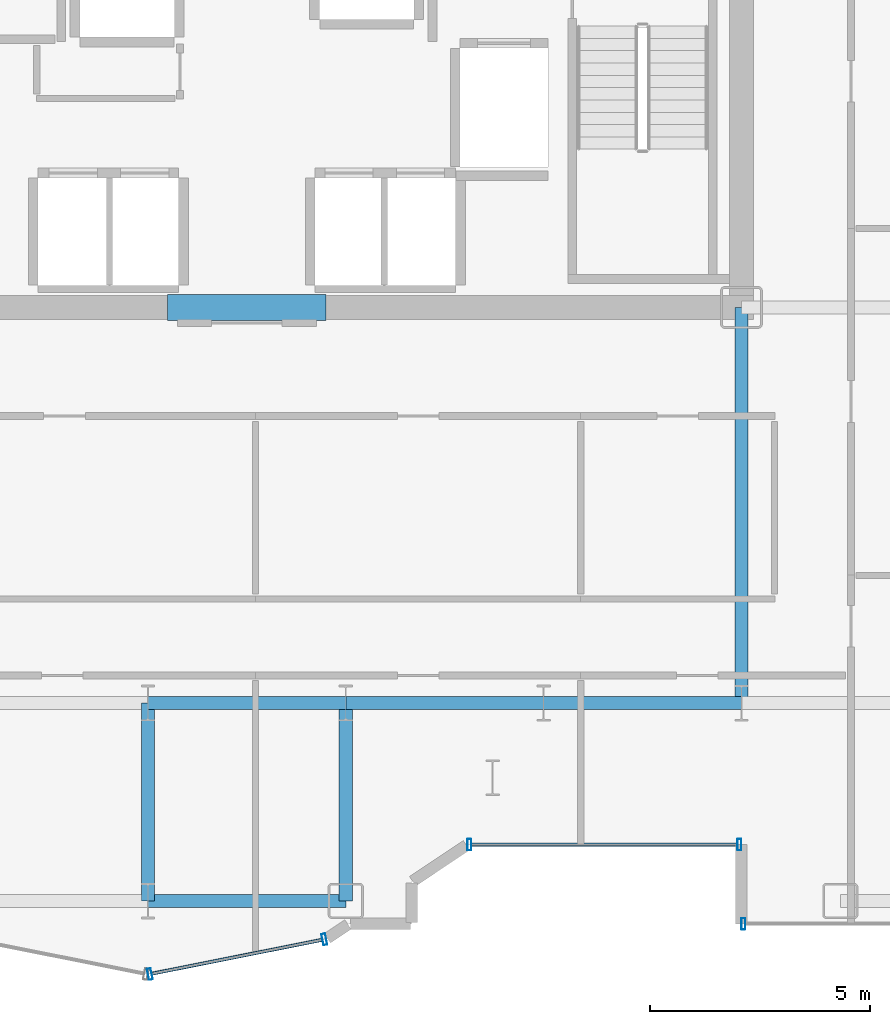
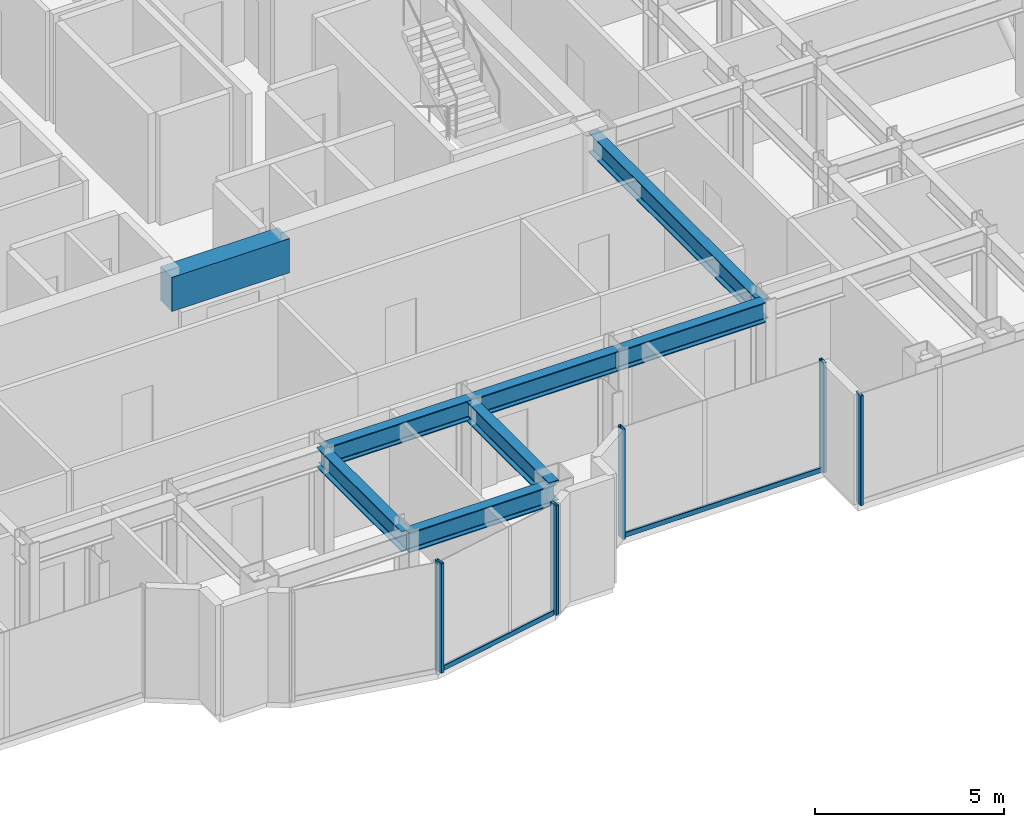
# One storey, part 9 of 26: 8 beams, 7 members, 3 elements without a shape of their own.
"""IFC4 building model written with IfcOpenShell, lengths in metres."""

from ifc_helpers import new_model, si_unit, direction, frame, origin, origin_2d, place, context, subcontext, project, spatial, rectangle, hollow_rectangle, i_section, extrude, source, transform, mapped, material, layer, layer_set, material_profile, profile_set, type_object, element, aggregate, save


model = new_model("IFC4")

# Units and contexts
model_context = context("Model", 3, precision=1e-05, world=origin(), true_north=direction((0.0, 1.0)))
body_context = subcontext(model_context, "Body", "Model", "MODEL_VIEW")
ifc_project = project(units=[si_unit("LENGTHUNIT", "METRE"), si_unit("AREAUNIT", "SQUARE_METRE"), si_unit("VOLUMEUNIT", "CUBIC_METRE"), si_unit("PLANEANGLEUNIT", "RADIAN"), si_unit("MASSUNIT", "GRAM", prefix="KILO")], contexts=[model_context])

# Site, building, storey
site_placement = place(None, origin())
site = spatial("IfcSite", under=ifc_project, at=site_placement, CompositionType="ELEMENT")
building_placement = place(site_placement, origin())
building = spatial("IfcBuilding", under=site, at=building_placement, Name="Nefas-Gora Pilgrimage Tower", CompositionType="ELEMENT")
storey_placement = place(building_placement, frame((0.0, 0.0, 160.199951171875)))
storey = spatial("IfcBuildingStorey", under=building, at=storey_placement, Name="L39", CompositionType="ELEMENT", Elevation=160.199951171875)

# Beams
ifc_material_1 = material(Name="Concrete C60/75", Category="concrete")
ifc_material_profile_1 = material_profile(ifc_material_1, rectangle(XDim=0.60009765625, YDim=1.10009765625, at=origin_2d()), Name="RC 600x1100")
ifc_profile_set_1 = profile_set([ifc_material_profile_1], Name="Concrete C60/75")
beam_type_1 = type_object("IfcBeamType", Name="BM-LIN-RC1100", PredefinedType="LINTEL", material=ifc_profile_set_1)
shared_shape_1 = source(origin(), body_context, "Body", "SweptSolid", [
    extrude(rectangle(XDim=0.60009765625, YDim=1.10009765625, at=origin_2d()), origin(), (0.0, 0.0, 1.0), 3.60009765625),
])
beam_1_placement = place(storey_placement, frame((-1.800048828125, -9.0, 3.0), z_axis=(1.0, 0.0, 0.0), x_axis=(0.0, 1.0, 0.0)))
element("IfcBeam", 1, at=beam_1_placement, inside=storey, type_object=beam_type_1, Name="L39 Core Coupling Lintel Beam S", PredefinedType="LINTEL", context=body_context, shape_type="MappedRepresentation", body=[
    mapped(shared_shape_1, transform((0.0, 0.0, 0.0), x_axis=(1.0, 0.0, 0.0), y_axis=(0.0, 1.0, 0.0), z_axis=(0.0, 0.0, 1.0), scale=1.0)),
])
ifc_material_2 = material(Name="Steel S355", Category="steel")
ifc_material_profile_2 = material_profile(ifc_material_2, i_section(OverallWidth=0.300048828125, OverallDepth=0.64990234375, WebThickness=0.01611328125, FlangeThickness=0.031005859375, FilletRadius=0.027099609375, at=origin_2d()), Name="HEB 650")
ifc_profile_set_2 = profile_set([ifc_material_profile_2], Name="Steel S355")
beam_type_2 = type_object("IfcBeamType", Name="BM-GIR-HEB650", PredefinedType="BEAM", material=ifc_profile_set_2)
shared_shape_2 = source(origin(), body_context, "Body", "SweptSolid", [
    extrude(i_section(OverallWidth=0.300048828125, OverallDepth=0.64990234375, WebThickness=0.01611328125, FlangeThickness=0.031005859375, FilletRadius=0.027099609375, at=origin_2d()), origin(), (0.0, 0.0, 1.0), 9.0),
])
beam_2_placement = place(storey_placement, frame((11.25, -18.0, 3.22509765625), z_axis=(0.0, 1.0, 0.0), x_axis=(-1.0, 0.0, 0.0)))
element("IfcBeam", 2, at=beam_2_placement, inside=storey, type_object=beam_type_2, Name="L39 G-03 beam", PredefinedType="BEAM", context=body_context, shape_type="MappedRepresentation", body=[
    mapped(shared_shape_2, transform((0.0, 0.0, 0.0), x_axis=(1.0, 0.0, 0.0), y_axis=(0.0, 1.0, 0.0), z_axis=(0.0, 0.0, 1.0), scale=1.0)),
])
shared_shape_3 = source(origin(), body_context, "Body", "SweptSolid", [
    extrude(i_section(OverallWidth=0.300048828125, OverallDepth=0.64990234375, WebThickness=0.01611328125, FlangeThickness=0.031005859375, FilletRadius=0.027099609375, at=origin_2d()), origin(), (0.0, 0.0, 1.0), 4.5),
])
for number, where, z_axis, x_axis, name in (
    (3, (-2.25, -22.5, 3.22509765625), (0.0, 1.0, 0.0), (-1.0, 0.0, 0.0), "L39 G-03 beam"),
    (4, (-2.25, -22.5, 3.22509765625), (1.0, 0.0, 0.0), (0.0, 1.0, 0.0), "L39 G-03 beam"),
    (5, (-2.25, -18.0, 3.22509765625), (1.0, 0.0, 0.0), (0.0, 1.0, 0.0), "L39 G-03 beam"),
    (6, (2.25, -22.5, 3.22509765625), (0.0, 1.0, 0.0), (-1.0, 0.0, 0.0), "L39 G-03 beam"),
    (7, (2.25, -18.0, 3.22509765625), (1.0, 0.0, 0.0), (0.0, 1.0, 0.0), "L39 G-03 beam"),
    (8, (6.75, -18.0, 3.22509765625), (1.0, 0.0, 0.0), (0.0, 1.0, 0.0), "L39 G-03 beam"),
):
    element("IfcBeam", number, at=place(storey_placement, frame(where, z_axis=z_axis, x_axis=x_axis)), inside=storey, type_object=beam_type_2, Name=name, PredefinedType="BEAM", context=body_context, shape_type="MappedRepresentation", body=[
        mapped(shared_shape_3, transform((0.0, 0.0, 0.0), x_axis=(1.0, 0.0, 0.0), y_axis=(0.0, 1.0, 0.0), z_axis=(0.0, 0.0, 1.0), scale=1.0)),
    ])

# Curtain wall, members
ifc_material_3 = material(Name="Dark ceramic-fritted solar-control aluminium-glass curtain wall", Category="aluminium")
ifc_layer_1 = layer(ifc_material_3, 0.219970703125)
ifc_layer_set_1 = layer_set([ifc_layer_1], Name="Dark ceramic-fritted solar-control aluminium-glass curtain wall")
curtain_wall_type_1 = type_object("IfcCurtainWallType", Name="CW-SYS-5", PredefinedType="NOTDEFINED", material=ifc_layer_set_1)
curtain_wall_1_placement = place(storey_placement, origin())
curtain_wall_1 = element("IfcCurtainWall", 9, at=curtain_wall_1_placement, inside=storey, type_object=curtain_wall_type_1, Name="L39 Unitised Curtain Wall CW5", PredefinedType="NOTDEFINED")
ifc_material_4 = material(Name="Anodised architectural aluminium", Category="aluminium")
ifc_material_profile_3 = material_profile(ifc_material_4, hollow_rectangle(XDim=0.090087890625, YDim=0.260009765625, WallThickness=0.006103515625, InnerFilletRadius=0.006103515625, OuterFilletRadius=0.011962890625, at=origin_2d()), Name="ALU MULLION 90x260")
ifc_profile_set_3 = profile_set([ifc_material_profile_3], Name="Anodised architectural aluminium")
member_type_1 = type_object("IfcMemberType", Name="CWM-MUL-5", PredefinedType="MULLION", material=ifc_profile_set_3)
shared_shape_4 = source(origin(), body_context, "Body", "SweptSolid", [
    extrude(hollow_rectangle(XDim=0.090087890625, YDim=0.260009765625, WallThickness=0.006103515625, InnerFilletRadius=0.006103515625, OuterFilletRadius=0.011962890625, at=origin_2d()), origin(), (0.0, 0.0, 1.0), 3.550048828125),
])
member_1_placement = place(storey_placement, frame((5.06298828125, -21.219970703125, 0.0), z_axis=(0.0, 0.0, 1.0), x_axis=(1.0, 0.0, 0.0)))
member_1 = element("IfcMember", 10, at=member_1_placement, type_object=member_type_1, Name="CW5 Mullion 1", PredefinedType="MULLION", context=body_context, shape_type="MappedRepresentation", body=[
    mapped(shared_shape_4, transform((0.0, 0.0, 0.0), x_axis=(1.0, 0.0, 0.0), y_axis=(0.0, 1.0, 0.0), z_axis=(0.0, 0.0, 1.0), scale=1.0)),
])
member_2_placement = place(storey_placement, frame((11.205078125, -21.219970703125, 0.0), z_axis=(0.0, 0.0, 1.0), x_axis=(1.0, 0.0, 0.0)))
member_2 = element("IfcMember", 11, at=member_2_placement, type_object=member_type_1, Name="CW5 Mullion 2", PredefinedType="MULLION", context=body_context, shape_type="MappedRepresentation", body=[
    mapped(shared_shape_4, transform((0.0, 0.0, 0.0), x_axis=(1.0, 0.0, 0.0), y_axis=(0.0, 1.0, 0.0), z_axis=(0.0, 0.0, 1.0), scale=1.0)),
])

curtain_wall_2_placement = place(storey_placement, origin())
curtain_wall_2 = element("IfcCurtainWall", 12, at=curtain_wall_2_placement, inside=storey, type_object=curtain_wall_type_1, Name="L39 Unitised Curtain Wall CW5", PredefinedType="NOTDEFINED")
member_3_placement = place(storey_placement, frame((-2.205810546875, -24.16357421875, 0.0), z_axis=(0.0, 0.0, 1.0), x_axis=(0.980782896852, 0.195102304554, 0.0)))
member_3 = element("IfcMember", 13, at=member_3_placement, type_object=member_type_1, Name="CW5 Mullion 1", PredefinedType="MULLION", context=body_context, shape_type="MappedRepresentation", body=[
    mapped(shared_shape_4, transform((0.0, 0.0, 0.0), x_axis=(1.0, 0.0, 0.0), y_axis=(0.0, 1.0, 0.0), z_axis=(0.0, 0.0, 1.0), scale=1.0)),
])
member_4_placement = place(storey_placement, frame((1.76318359375, -23.3740234375, 0.0), z_axis=(0.0, 0.0, 1.0), x_axis=(0.980782896852, 0.195102304554, 0.0)))
member_4 = element("IfcMember", 14, at=member_4_placement, type_object=member_type_1, Name="CW5 Mullion 2", PredefinedType="MULLION", context=body_context, shape_type="MappedRepresentation", body=[
    mapped(shared_shape_4, transform((0.0, 0.0, 0.0), x_axis=(1.0, 0.0, 0.0), y_axis=(0.0, 1.0, 0.0), z_axis=(0.0, 0.0, 1.0), scale=1.0)),
])

# Member
ifc_material_profile_4 = material_profile(ifc_material_4, hollow_rectangle(XDim=0.080078125, YDim=0.159912109375, WallThickness=0.00439453125, InnerFilletRadius=0.00439453125, OuterFilletRadius=0.009033203125, at=origin_2d()), Name="ALU TRANSOM 80x160")
ifc_profile_set_4 = profile_set([ifc_material_profile_4], Name="Anodised architectural aluminium")
member_type_2 = type_object("IfcMemberType", Name="CWM-TRN-5", PredefinedType="USERDEFINED", material=ifc_profile_set_4)
shared_shape_5 = source(origin(), body_context, "Body", "SweptSolid", [
    extrude(hollow_rectangle(XDim=0.080078125, YDim=0.159912109375, WallThickness=0.00439453125, InnerFilletRadius=0.00439453125, OuterFilletRadius=0.009033203125, at=origin_2d()), origin(), (0.0, 0.0, 1.0), 6.052001953125),
])
member_5_placement = place(storey_placement, frame((5.10791015625, -21.219970703125, 0.050048828125), z_axis=(1.0, 0.0, 0.0), x_axis=(0.0, 1.0, 0.0)))
member_5 = element("IfcMember", 15, at=member_5_placement, type_object=member_type_2, Name="CW5 Spandrel Transom", ObjectType="TRANSOM", PredefinedType="USERDEFINED", context=body_context, shape_type="MappedRepresentation", body=[
    mapped(shared_shape_5, transform((0.0, 0.0, 0.0), x_axis=(1.0, 0.0, 0.0), y_axis=(0.0, 1.0, 0.0), z_axis=(0.0, 0.0, 1.0), scale=1.0)),
])

aggregate(curtain_wall_1, [member_1, member_2, member_5])

shared_shape_6 = source(origin(), body_context, "Body", "SweptSolid", [
    extrude(hollow_rectangle(XDim=0.080078125, YDim=0.159912109375, WallThickness=0.00439453125, InnerFilletRadius=0.00439453125, OuterFilletRadius=0.009033203125, at=origin_2d()), origin(), (0.0, 0.0, 1.0), 3.95654296875),
])
member_6_placement = place(storey_placement, frame((-2.16162109375, -24.15478515625, 0.050048828125), z_axis=(0.980781880918, 0.195107411605, 0.0), x_axis=(-0.195107411605, 0.980781880918, 0.0)))
member_6 = element("IfcMember", 16, at=member_6_placement, type_object=member_type_2, Name="CW5 Spandrel Transom", ObjectType="TRANSOM", PredefinedType="USERDEFINED", context=body_context, shape_type="MappedRepresentation", body=[
    mapped(shared_shape_6, transform((0.0, 0.0, 0.0), x_axis=(1.0, 0.0, 0.0), y_axis=(0.0, 1.0, 0.0), z_axis=(0.0, 0.0, 1.0), scale=1.0)),
])

aggregate(curtain_wall_2, [member_3, member_4, member_6])

# Curtain wall, member
ifc_layer_2 = layer(ifc_material_3, 0.219970703125)
ifc_layer_set_2 = layer_set([ifc_layer_2], Name="Dark ceramic-fritted solar-control aluminium-glass curtain wall")
curtain_wall_type_2 = type_object("IfcCurtainWallType", Name="CW-SYS-3", PredefinedType="NOTDEFINED", material=ifc_layer_set_2)
curtain_wall_3_placement = place(storey_placement, origin())
curtain_wall_3 = element("IfcCurtainWall", 17, at=curtain_wall_3_placement, inside=storey, type_object=curtain_wall_type_2, Name="L39 Unitised Curtain Wall CW3", PredefinedType="NOTDEFINED")
ifc_material_profile_5 = material_profile(ifc_material_4, hollow_rectangle(XDim=0.090087890625, YDim=0.260009765625, WallThickness=0.006103515625, InnerFilletRadius=0.006103515625, OuterFilletRadius=0.011962890625, at=origin_2d()), Name="ALU MULLION 90x260")
ifc_profile_set_5 = profile_set([ifc_material_profile_5], Name="Anodised architectural aluminium")
member_type_3 = type_object("IfcMemberType", Name="CWM-MUL-3", PredefinedType="MULLION", material=ifc_profile_set_5)
shared_shape_7 = source(origin(), body_context, "Body", "SweptSolid", [
    extrude(hollow_rectangle(XDim=0.090087890625, YDim=0.260009765625, WallThickness=0.006103515625, InnerFilletRadius=0.006103515625, OuterFilletRadius=0.011962890625, at=origin_2d()), origin(), (0.0, 0.0, 1.0), 3.550048828125),
])
member_7_placement = place(storey_placement, frame((11.294921875, -23.02001953125, 0.0), z_axis=(0.0, 0.0, 1.0), x_axis=(1.0, 0.0, 0.0)))
member_7 = element("IfcMember", 18, at=member_7_placement, type_object=member_type_3, Name="CW3 Mullion 1", PredefinedType="MULLION", context=body_context, shape_type="MappedRepresentation", body=[
    mapped(shared_shape_7, transform((0.0, 0.0, 0.0), x_axis=(1.0, 0.0, 0.0), y_axis=(0.0, 1.0, 0.0), z_axis=(0.0, 0.0, 1.0), scale=1.0)),
])
aggregate(curtain_wall_3, [member_7])

save(model, "model.ifc")
